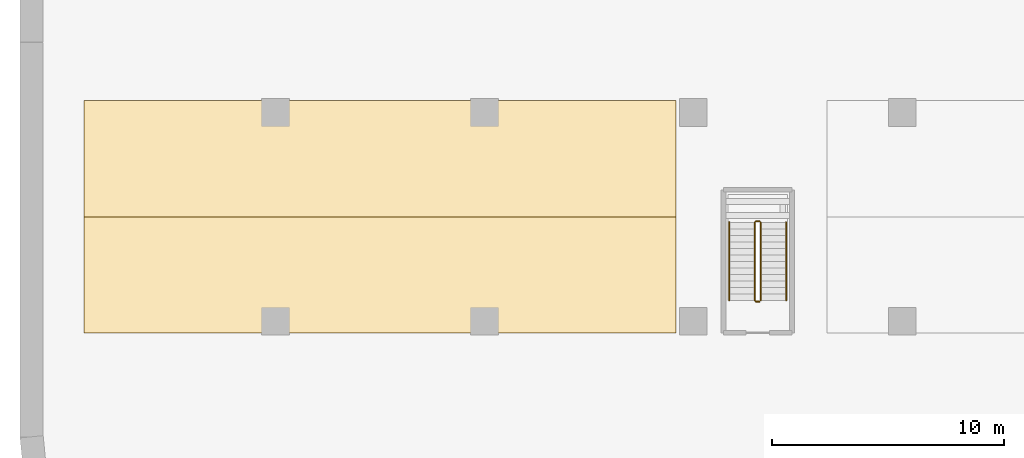
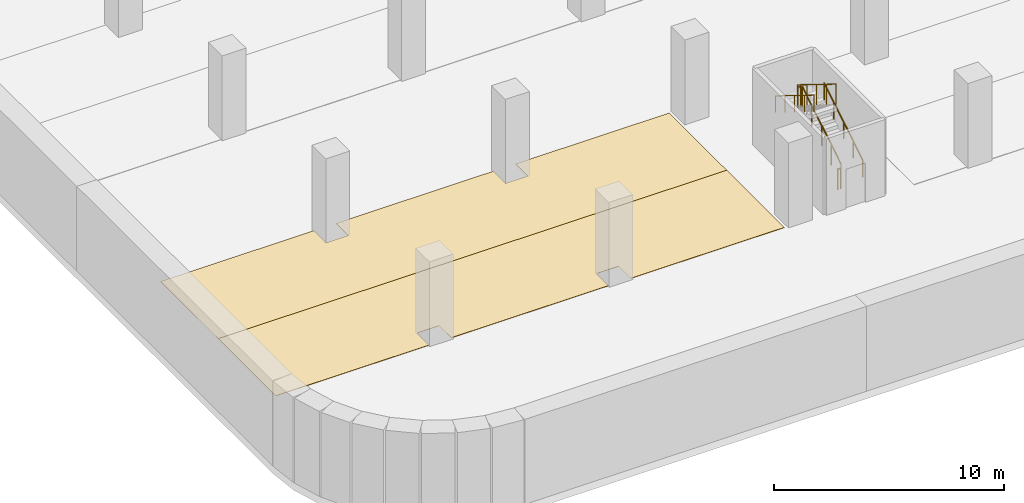
# One storey, part 21 of 34: 6 railings, 2 coverings.
"""IFC4 building model written with IfcOpenShell, lengths in metres."""

from ifc_helpers import new_model, si_unit, direction, frame, origin, origin_2d, place, context, subcontext, project, spatial, polyline, circle, outline, extrude, material, layer, layer_set, type_object, element, save


model = new_model("IFC4")

# Units and contexts
model_context = context("Model", 3, precision=1e-05, world=origin(), true_north=direction((0.0, 1.0)))
body_context = subcontext(model_context, "Body", "Model", "MODEL_VIEW")
ifc_project = project(units=[si_unit("LENGTHUNIT", "METRE"), si_unit("AREAUNIT", "SQUARE_METRE"), si_unit("VOLUMEUNIT", "CUBIC_METRE"), si_unit("PLANEANGLEUNIT", "RADIAN"), si_unit("MASSUNIT", "GRAM", prefix="KILO")], contexts=[model_context])

# Site, building, storey
site_placement = place(None, origin())
site = spatial("IfcSite", under=ifc_project, at=site_placement, CompositionType="ELEMENT")
building_placement = place(site_placement, origin())
building = spatial("IfcBuilding", under=site, at=building_placement, Name="Ogive Gate Towers", CompositionType="ELEMENT")
storey_placement = place(building_placement, frame((0.0, 0.0, -4.5)))
storey = spatial("IfcBuildingStorey", under=building, at=storey_placement, Name="B1", CompositionType="ELEMENT", Elevation=-4.5)

# Railings
ifc_material_1 = material(Name="Painted steel", Category="steel")
railing_type_1 = type_object("IfcRailingType", Name="Car park stair guard 1100", PredefinedType="GUARDRAIL", material=ifc_material_1)
railing_1_placement = place(storey_placement, frame((-96.10009765625, -62.10009765625, 0.173095703125)))
element("IfcRailing", 1, at=railing_1_placement, inside=storey, type_object=railing_type_1, Name="B1 CS5 stair guard 1", PredefinedType="GUARDRAIL", context=body_context, shape_type="SweptSolid", body=[
    extrude(circle(Radius=0.02392578125, at=origin_2d()), frame((0.0, 0.0, 1.076171875), z_axis=(0.0, 0.850623216509, 0.525775754039), x_axis=(-1.0, 0.0, 0.0)), (0.0, 0.0, 1.0), 3.9501953125),
    extrude(circle(Radius=0.02099609375, at=origin_2d()), origin(), (0.0, 0.0, 1.0), 1.052001953125),
    extrude(circle(Radius=0.02099609375, at=origin_2d()), frame((0.0, 0.840087890625, 0.519287109375)), (0.0, 0.0, 1.0), 1.052001953125),
    extrude(circle(Radius=0.02099609375, at=origin_2d()), frame((0.0, 1.68017578125, 1.03857421875)), (0.0, 0.0, 1.0), 1.052001953125),
    extrude(circle(Radius=0.02099609375, at=origin_2d()), frame((0.0, 2.52001953125, 1.5576171875)), (0.0, 0.0, 1.0), 1.052001953125),
    extrude(circle(Radius=0.02099609375, at=origin_2d()), frame((0.0, 3.360107421875, 2.076904296875)), (0.0, 0.0, 1.0), 1.052001953125),
])
railing_2_placement = place(storey_placement, frame((-96.14990234375, -58.68994140625, 2.25)))
element("IfcRailing", 2, at=railing_2_placement, inside=storey, type_object=railing_type_1, Name="B1 CS5 stair guard 2", PredefinedType="GUARDRAIL", context=body_context, shape_type="SweptSolid", body=[
    extrude(circle(Radius=0.02392578125, at=origin_2d()), frame((0.0, 0.0, 1.076171875), z_axis=(-1.0, 0.0, 0.0), x_axis=(0.0, -1.0, 0.0)), (0.0, 0.0, 1.0), 0.150146484375),
    extrude(circle(Radius=0.02099609375, at=origin_2d()), origin(), (0.0, 0.0, 1.0), 1.052001953125),
    extrude(circle(Radius=0.02099609375, at=origin_2d()), frame((-0.150146484375, 0.0, 0.0)), (0.0, 0.0, 1.0), 1.052001953125),
])
railing_3_placement = place(storey_placement, frame((-96.35009765625, -58.739990234375, 2.423095703125)))
element("IfcRailing", 3, at=railing_3_placement, inside=storey, type_object=railing_type_1, Name="B1 CS5 stair guard 3", PredefinedType="GUARDRAIL", context=body_context, shape_type="SweptSolid", body=[
    extrude(circle(Radius=0.02392578125, at=origin_2d()), frame((0.0, 0.0, 1.076171875), z_axis=(0.0, -0.850623216509, 0.525775754039), x_axis=(1.0, 0.0, 0.0)), (0.0, 0.0, 1.0), 3.9501953125),
    extrude(circle(Radius=0.02099609375, at=origin_2d()), origin(), (0.0, 0.0, 1.0), 1.052001953125),
    extrude(circle(Radius=0.02099609375, at=origin_2d()), frame((0.0, -0.840087890625, 0.519287109375)), (0.0, 0.0, 1.0), 1.052001953125),
    extrude(circle(Radius=0.02099609375, at=origin_2d()), frame((0.0, -1.68017578125, 1.03857421875)), (0.0, 0.0, 1.0), 1.052001953125),
    extrude(circle(Radius=0.02099609375, at=origin_2d()), frame((0.0, -2.52001953125, 1.5576171875)), (0.0, 0.0, 1.0), 1.052001953125),
    extrude(circle(Radius=0.02099609375, at=origin_2d()), frame((0.0, -3.360107421875, 2.076904296875)), (0.0, 0.0, 1.0), 1.052001953125),
])
railing_4_placement = place(storey_placement, frame((-96.14990234375, -62.14990234375, 0.0)))
element("IfcRailing", 4, at=railing_4_placement, inside=storey, type_object=railing_type_1, Name="B1 CS5 stair guard 4", PredefinedType="GUARDRAIL", context=body_context, shape_type="SweptSolid", body=[
    extrude(circle(Radius=0.02392578125, at=origin_2d()), frame((0.0, 0.0, 1.076171875), z_axis=(-1.0, 0.0, 0.0), x_axis=(0.0, -1.0, 0.0)), (0.0, 0.0, 1.0), 0.150146484375),
    extrude(circle(Radius=0.02099609375, at=origin_2d()), origin(), (0.0, 0.0, 1.0), 1.052001953125),
    extrude(circle(Radius=0.02099609375, at=origin_2d()), frame((-0.150146484375, 0.0, 0.0)), (0.0, 0.0, 1.0), 1.052001953125),
])
ifc_material_2 = material(Name="Stainless steel handrail", Category="steel")
railing_type_2 = type_object("IfcRailingType", Name="Car park stair handrail 900", PredefinedType="HANDRAIL", material=ifc_material_2)
railing_5_placement = place(storey_placement, frame((-95.0, -62.10009765625, 0.173095703125)))
element("IfcRailing", 5, at=railing_5_placement, inside=storey, type_object=railing_type_2, Name="B1 CS5 stair handrail 1", PredefinedType="HANDRAIL", context=body_context, shape_type="SweptSolid", body=[
    extrude(circle(Radius=0.02392578125, at=origin_2d()), frame((0.0, 0.0, 0.8759765625), z_axis=(0.0, 0.850623216509, 0.525775754039), x_axis=(-1.0, 0.0, 0.0)), (0.0, 0.0, 1.0), 3.9501953125),
    extrude(circle(Radius=0.02099609375, at=origin_2d()), origin(), (0.0, 0.0, 1.0), 0.851806640625),
    extrude(circle(Radius=0.02099609375, at=origin_2d()), frame((0.0, 0.840087890625, 0.519287109375)), (0.0, 0.0, 1.0), 0.851806640625),
    extrude(circle(Radius=0.02099609375, at=origin_2d()), frame((0.0, 1.68017578125, 1.03857421875)), (0.0, 0.0, 1.0), 0.851806640625),
    extrude(circle(Radius=0.02099609375, at=origin_2d()), frame((0.0, 2.52001953125, 1.5576171875)), (0.0, 0.0, 1.0), 0.851806640625),
    extrude(circle(Radius=0.02099609375, at=origin_2d()), frame((0.0, 3.360107421875, 2.076904296875)), (0.0, 0.0, 1.0), 0.851806640625),
])
railing_6_placement = place(storey_placement, frame((-97.449951171875, -58.739990234375, 2.423095703125)))
element("IfcRailing", 6, at=railing_6_placement, inside=storey, type_object=railing_type_2, Name="B1 CS5 stair handrail 2", PredefinedType="HANDRAIL", context=body_context, shape_type="SweptSolid", body=[
    extrude(circle(Radius=0.02392578125, at=origin_2d()), frame((0.0, 0.0, 0.8759765625), z_axis=(0.0, -0.850623216509, 0.525775754039), x_axis=(1.0, 0.0, 0.0)), (0.0, 0.0, 1.0), 3.9501953125),
    extrude(circle(Radius=0.02099609375, at=origin_2d()), origin(), (0.0, 0.0, 1.0), 0.851806640625),
    extrude(circle(Radius=0.02099609375, at=origin_2d()), frame((0.0, -0.840087890625, 0.519287109375)), (0.0, 0.0, 1.0), 0.851806640625),
    extrude(circle(Radius=0.02099609375, at=origin_2d()), frame((0.0, -1.68017578125, 1.03857421875)), (0.0, 0.0, 1.0), 0.851806640625),
    extrude(circle(Radius=0.02099609375, at=origin_2d()), frame((0.0, -2.52001953125, 1.5576171875)), (0.0, 0.0, 1.0), 0.851806640625),
    extrude(circle(Radius=0.02099609375, at=origin_2d()), frame((0.0, -3.360107421875, 2.076904296875)), (0.0, 0.0, 1.0), 0.851806640625),
])

# Coverings
ifc_material_3 = material(Name="Painted floor marking")
ifc_layer = layer(ifc_material_3, 0.02001953125)
ifc_layer_set = layer_set([ifc_layer], Name="Parking bay marking")
covering_type = type_object("IfcCoveringType", Name="Parking bay marking", PredefinedType="FLOORING", material=ifc_layer_set)
covering_1_placement = place(storey_placement, origin())
element("IfcCovering", 7, at=covering_1_placement, inside=storey, type_object=covering_type, Name="Parking bays B1-330 to B1-338", PredefinedType="FLOORING", context=body_context, shape_type="SweptSolid", body=[
    extrude(outline(polyline([(-99.75, -58.5), (-99.75, -63.5), (-107.449951171875, -63.5), (-107.449951171875, -62.449951171875), (-108.550048828125, -62.449951171875), (-108.550048828125, -63.5), (-116.449951171875, -63.5), (-116.449951171875, -62.449951171875), (-117.550048828125, -62.449951171875), (-117.550048828125, -63.5), (-125.25, -63.5), (-125.25, -58.5), (-99.75, -58.5)])), origin(), (0.0, 0.0, 1.0), 0.02001953125),
])
covering_2_placement = place(storey_placement, origin())
element("IfcCovering", 8, at=covering_2_placement, inside=storey, type_object=covering_type, Name="Parking bays B1-743 to B1-751", PredefinedType="FLOORING", context=body_context, shape_type="SweptSolid", body=[
    extrude(outline(polyline([(-117.550048828125, -53.5), (-117.550048828125, -54.550048828125), (-116.449951171875, -54.550048828125), (-116.449951171875, -53.5), (-108.550048828125, -53.5), (-108.550048828125, -54.550048828125), (-107.449951171875, -54.550048828125), (-107.449951171875, -53.5), (-99.75, -53.5), (-99.75, -58.5), (-125.25, -58.5), (-125.25, -53.5), (-117.550048828125, -53.5)])), origin(), (0.0, 0.0, 1.0), 0.02001953125),
])

save(model, "model.ifc")
